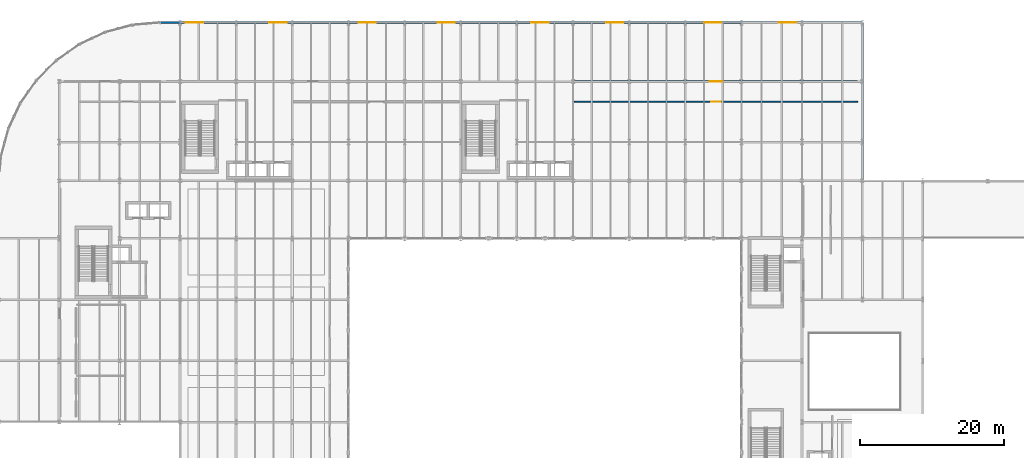
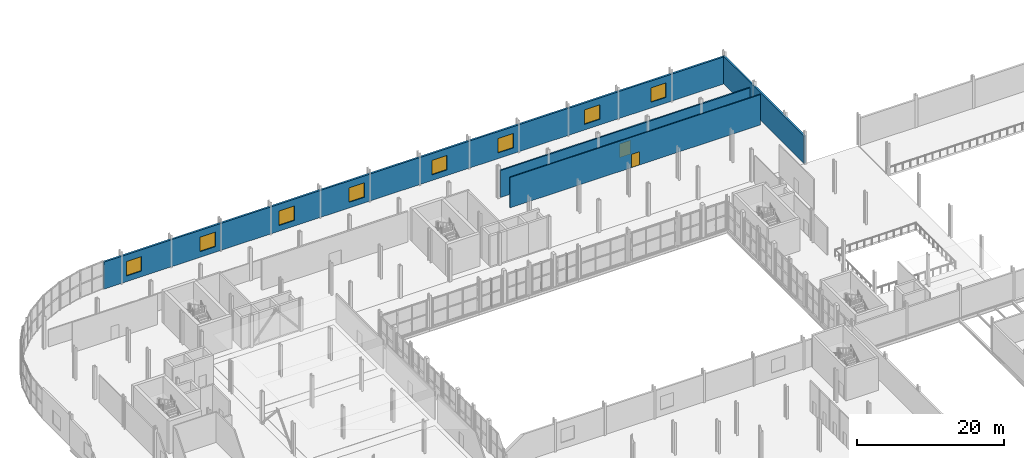
# One storey, part 57 of 78: 8 windows, 4 walls, 2 doors, 10 openings.
"""IFC4 building model written with IfcOpenShell, lengths in metres."""

from ifc_helpers import new_model, si_unit, direction, frame, frame_2d, origin, place, context, subcontext, project, spatial, rectangle, extrude, material, layer, layer_set, type_object, element, fill, save


model = new_model("IFC4")

# Units and contexts
model_context = context("Model", 3, precision=1e-05, world=origin(), true_north=direction((0.0, 1.0)))
body_context = subcontext(model_context, "Body", "Model", "MODEL_VIEW")
ifc_project = project(units=[si_unit("LENGTHUNIT", "METRE"), si_unit("AREAUNIT", "SQUARE_METRE"), si_unit("VOLUMEUNIT", "CUBIC_METRE"), si_unit("PLANEANGLEUNIT", "RADIAN"), si_unit("MASSUNIT", "GRAM", prefix="KILO")], contexts=[model_context])

# Site, building, storey
site_placement = place(None, origin())
site = spatial("IfcSite", under=ifc_project, at=site_placement, CompositionType="ELEMENT")
building_placement = place(site_placement, origin())
building = spatial("IfcBuilding", under=site, at=building_placement, Name="Sefraquen Railside Congress Hotel", CompositionType="ELEMENT")
storey_placement = place(building_placement, frame((0.0, 0.0, 6.0)))
storey = spatial("IfcBuildingStorey", under=building, at=storey_placement, Name="L01", CompositionType="ELEMENT", Elevation=6.0)

# Wall, opening, door
ifc_material_1 = material(Name="Acoustic double stud and gypsum board", Category="gypsum")
ifc_layer_1 = layer(ifc_material_1, 0.219970703125)
ifc_layer_set_1 = layer_set([ifc_layer_1], Name="Acoustic double stud and gypsum board")
wall_type_1 = type_object("IfcWallType", Name="TW-AW-220", PredefinedType="PARTITIONING", material=ifc_layer_set_1)
wall_1_placement = place(storey_placement, frame((80.050048828125, 109.800048828125, 0.0), z_axis=(0.0, 0.0, 1.0), x_axis=(1.0, 0.0, 0.0)))
wall_1 = element("IfcWall", 1, at=wall_1_placement, inside=storey, type_object=wall_type_1, Name="Moroccan Gastronomic Specialty Restaurant enclosure wall", PredefinedType="PARTITIONING", context=body_context, shape_type="SweptSolid", body=[
    extrude(rectangle(XDim=39.25, YDim=0.219970703125, at=frame_2d((19.625, 0.0))), origin(), (0.0, 0.0, 1.0), 4.489990234375),
])
opening_1_placement = place(wall_1_placement, frame((18.77490234375, 0.0, 0.0)))
opening_1 = element("IfcOpeningElement", 2, at=opening_1_placement, cuts=wall_1, Name="Opening AD-03", PredefinedType="OPENING", context=body_context, shape_type="SweptSolid", body=[
    extrude(rectangle(XDim=1.699951171875, YDim=2.300048828125, at=frame_2d((0.85009765625, 1.14990234375))), frame((0.0, 0.119873046875, 0.0), z_axis=(0.0, -1.0, 0.0), x_axis=(1.0, 0.0, 0.0)), (0.0, 0.0, 1.0), 0.239990234375),
])
ifc_material_2 = material(Name="Acoustic timber and etched glass", Category="wood")
door_type_1 = type_object("IfcDoorType", Name="TD-AD-03", OperationType="NOTDEFINED", PredefinedType="DOOR", material=ifc_material_2)
door_1_placement = place(opening_1_placement, origin())
door_1 = element("IfcDoor", 3, at=door_1_placement, inside=storey, type_object=door_type_1, Name="Moroccan Gastronomic Specialty Restaurant entrance door", OperationType="DOUBLE_SWING_LEFT", OverallHeight=2.300048828125, OverallWidth=1.699951171875, PredefinedType="DOOR", context=body_context, shape_type="SweptSolid", body=[
    extrude(rectangle(XDim=1.699951171875, YDim=2.300048828125, at=frame_2d((0.85009765625, 1.14990234375))), frame((0.0, 0.02490234375, 0.0), z_axis=(0.0, -1.0, 0.0), x_axis=(1.0, 0.0, 0.0)), (0.0, 0.0, 1.0), 0.050048828125),
])
fill(opening_1, door_1)

# Wall
ifc_material_3 = material(Name="Ochre Rabat calcarenite limestone and Concrete C40/50 backing", Category="masonry")
ifc_layer_2 = layer(ifc_material_3, 0.280029296875)
ifc_layer_set_2 = layer_set([ifc_layer_2], Name="Ochre Rabat calcarenite limestone and Concrete C40/50 backing")
wall_type_2 = type_object("IfcWallType", Name="TW-EW-280", PredefinedType="STANDARD", material=ifc_layer_set_2)
wall_2_placement = place(storey_placement, frame((120.0, 96.0, 0.0), z_axis=(0.0, 0.0, 1.0), x_axis=(0.0, 1.0, 0.0)))
element("IfcWall", 4, at=wall_2_placement, inside=storey, type_object=wall_type_2, Name="Hotel L01 east gable facade wall", PredefinedType="STANDARD", context=body_context, shape_type="SweptSolid", body=[
    extrude(rectangle(XDim=22.0, YDim=0.280029296875, at=frame_2d((11.0, 0.0))), origin(), (0.0, 0.0, 1.0), 4.590087890625),
])

# Wall, openings, windows
ifc_layer_3 = layer(ifc_material_3, 0.300048828125)
ifc_layer_set_3 = layer_set([ifc_layer_3], Name="Ochre Rabat calcarenite limestone and Concrete C40/50 backing")
wall_type_3 = type_object("IfcWallType", Name="TW-EW-300", PredefinedType="STANDARD", material=ifc_layer_set_3)
wall_3_placement = place(storey_placement, frame((22.5, 118.0, 0.0), z_axis=(0.0, 0.0, 1.0), x_axis=(1.0, 0.0, 0.0)))
wall_3 = element("IfcWall", 5, at=wall_3_placement, inside=storey, type_object=wall_type_3, Name="Hotel L01 North Boulevard limestone facade wall", PredefinedType="STANDARD", context=body_context, shape_type="SweptSolid", body=[
    extrude(rectangle(XDim=97.5, YDim=0.300048828125, at=frame_2d((48.75, 0.0))), origin(), (0.0, 0.0, 1.0), 4.489990234375),
])
opening_2_placement = place(wall_3_placement, frame((3.5, 0.0, 0.949951171875)))
opening_2 = element("IfcOpeningElement", 6, at=opening_2_placement, cuts=wall_3, Name="Opening WN-09", PredefinedType="OPENING", context=body_context, shape_type="SweptSolid", body=[
    extrude(rectangle(XDim=2.39990234375, YDim=2.39990234375, at=frame_2d((1.199951171875, 1.199951171875))), frame((0.0, 0.159912109375, 0.0), z_axis=(0.0, -1.0, 0.0), x_axis=(1.0, 0.0, 0.0)), (0.0, 0.0, 1.0), 0.320068359375),
])
opening_3_placement = place(wall_3_placement, frame((15.10009765625, 0.0, 0.949951171875)))
opening_3 = element("IfcOpeningElement", 7, at=opening_3_placement, cuts=wall_3, Name="Opening WN-09", PredefinedType="OPENING", context=body_context, shape_type="SweptSolid", body=[
    extrude(rectangle(XDim=2.39990234375, YDim=2.39990234375, at=frame_2d((1.199951171875, 1.199951171875))), frame((0.0, 0.159912109375, 0.0), z_axis=(0.0, -1.0, 0.0), x_axis=(1.0, 0.0, 0.0)), (0.0, 0.0, 1.0), 0.320068359375),
])
opening_4_placement = place(wall_3_placement, frame((27.5, 0.0, 0.949951171875)))
opening_4 = element("IfcOpeningElement", 8, at=opening_4_placement, cuts=wall_3, Name="Opening WN-09", PredefinedType="OPENING", context=body_context, shape_type="SweptSolid", body=[
    extrude(rectangle(XDim=2.39990234375, YDim=2.39990234375, at=frame_2d((1.199951171875, 1.199951171875))), frame((0.0, 0.159912109375, 0.0), z_axis=(0.0, -1.0, 0.0), x_axis=(1.0, 0.0, 0.0)), (0.0, 0.0, 1.0), 0.320068359375),
])
opening_5_placement = place(wall_3_placement, frame((38.5, 0.0, 0.949951171875)))
opening_5 = element("IfcOpeningElement", 9, at=opening_5_placement, cuts=wall_3, Name="Opening WN-09", PredefinedType="OPENING", context=body_context, shape_type="SweptSolid", body=[
    extrude(rectangle(XDim=2.39990234375, YDim=2.39990234375, at=frame_2d((1.199951171875, 1.199951171875))), frame((0.0, 0.159912109375, 0.0), z_axis=(0.0, -1.0, 0.0), x_axis=(1.0, 0.0, 0.0)), (0.0, 0.0, 1.0), 0.320068359375),
])
opening_6_placement = place(wall_3_placement, frame((51.5, 0.0, 0.949951171875)))
opening_6 = element("IfcOpeningElement", 10, at=opening_6_placement, cuts=wall_3, Name="Opening WN-09", PredefinedType="OPENING", context=body_context, shape_type="SweptSolid", body=[
    extrude(rectangle(XDim=2.39990234375, YDim=2.39990234375, at=frame_2d((1.199951171875, 1.199951171875))), frame((0.0, 0.159912109375, 0.0), z_axis=(0.0, -1.0, 0.0), x_axis=(1.0, 0.0, 0.0)), (0.0, 0.0, 1.0), 0.320068359375),
])
opening_7_placement = place(wall_3_placement, frame((61.89990234375, 0.0, 0.949951171875)))
opening_7 = element("IfcOpeningElement", 11, at=opening_7_placement, cuts=wall_3, Name="Opening WN-09", PredefinedType="OPENING", context=body_context, shape_type="SweptSolid", body=[
    extrude(rectangle(XDim=2.39990234375, YDim=2.39990234375, at=frame_2d((1.199951171875, 1.199951171875))), frame((0.0, 0.159912109375, 0.0), z_axis=(0.0, -1.0, 0.0), x_axis=(1.0, 0.0, 0.0)), (0.0, 0.0, 1.0), 0.320068359375),
])
opening_8_placement = place(wall_3_placement, frame((75.5, 0.0, 0.949951171875)))
opening_8 = element("IfcOpeningElement", 12, at=opening_8_placement, cuts=wall_3, Name="Opening WN-09", PredefinedType="OPENING", context=body_context, shape_type="SweptSolid", body=[
    extrude(rectangle(XDim=2.39990234375, YDim=2.39990234375, at=frame_2d((1.199951171875, 1.199951171875))), frame((0.0, 0.159912109375, 0.0), z_axis=(0.0, -1.0, 0.0), x_axis=(1.0, 0.0, 0.0)), (0.0, 0.0, 1.0), 0.320068359375),
])
opening_9_placement = place(wall_3_placement, frame((85.89990234375, 0.0, 0.949951171875)))
opening_9 = element("IfcOpeningElement", 13, at=opening_9_placement, cuts=wall_3, Name="Opening WN-09", PredefinedType="OPENING", context=body_context, shape_type="SweptSolid", body=[
    extrude(rectangle(XDim=2.39990234375, YDim=2.39990234375, at=frame_2d((1.199951171875, 1.199951171875))), frame((0.0, 0.159912109375, 0.0), z_axis=(0.0, -1.0, 0.0), x_axis=(1.0, 0.0, 0.0)), (0.0, 0.0, 1.0), 0.320068359375),
])
ifc_material_4 = material(Name="Solar-control low-E double glazing in bronze-anodised frame", Category="glass")
window_type = type_object("IfcWindowType", Name="TWN-W-09", PartitioningType="DOUBLE_PANEL_VERTICAL", PredefinedType="WINDOW", material=ifc_material_4)
window_1_placement = place(opening_2_placement, origin())
window_1 = element("IfcWindow", 14, at=window_1_placement, inside=storey, type_object=window_type, Name="Hotel L01 North arched window 1", OverallHeight=2.39990234375, OverallWidth=2.39990234375, PartitioningType="DOUBLE_PANEL_VERTICAL", PredefinedType="WINDOW", context=body_context, shape_type="SweptSolid", body=[
    extrude(rectangle(XDim=2.39990234375, YDim=2.39990234375, at=frame_2d((1.199951171875, 1.199951171875))), frame((0.0, 0.030029296875, 0.0), z_axis=(0.0, -1.0, 0.0), x_axis=(1.0, 0.0, 0.0)), (0.0, 0.0, 1.0), 0.06005859375),
])
fill(opening_2, window_1)
window_2_placement = place(opening_3_placement, origin())
window_2 = element("IfcWindow", 15, at=window_2_placement, inside=storey, type_object=window_type, Name="Hotel L01 North arched window 2", OverallHeight=2.39990234375, OverallWidth=2.39990234375, PartitioningType="DOUBLE_PANEL_VERTICAL", PredefinedType="WINDOW", context=body_context, shape_type="SweptSolid", body=[
    extrude(rectangle(XDim=2.39990234375, YDim=2.39990234375, at=frame_2d((1.199951171875, 1.199951171875))), frame((0.0, 0.030029296875, 0.0), z_axis=(0.0, -1.0, 0.0), x_axis=(1.0, 0.0, 0.0)), (0.0, 0.0, 1.0), 0.06005859375),
])
fill(opening_3, window_2)
window_3_placement = place(opening_4_placement, origin())
window_3 = element("IfcWindow", 16, at=window_3_placement, inside=storey, type_object=window_type, Name="Hotel L01 North arched window 3", OverallHeight=2.39990234375, OverallWidth=2.39990234375, PartitioningType="DOUBLE_PANEL_VERTICAL", PredefinedType="WINDOW", context=body_context, shape_type="SweptSolid", body=[
    extrude(rectangle(XDim=2.39990234375, YDim=2.39990234375, at=frame_2d((1.199951171875, 1.199951171875))), frame((0.0, 0.030029296875, 0.0), z_axis=(0.0, -1.0, 0.0), x_axis=(1.0, 0.0, 0.0)), (0.0, 0.0, 1.0), 0.06005859375),
])
fill(opening_4, window_3)
window_4_placement = place(opening_5_placement, origin())
window_4 = element("IfcWindow", 17, at=window_4_placement, inside=storey, type_object=window_type, Name="Hotel L01 North arched window 4", OverallHeight=2.39990234375, OverallWidth=2.39990234375, PartitioningType="DOUBLE_PANEL_VERTICAL", PredefinedType="WINDOW", context=body_context, shape_type="SweptSolid", body=[
    extrude(rectangle(XDim=2.39990234375, YDim=2.39990234375, at=frame_2d((1.199951171875, 1.199951171875))), frame((0.0, 0.030029296875, 0.0), z_axis=(0.0, -1.0, 0.0), x_axis=(1.0, 0.0, 0.0)), (0.0, 0.0, 1.0), 0.06005859375),
])
fill(opening_5, window_4)
window_5_placement = place(opening_6_placement, origin())
window_5 = element("IfcWindow", 18, at=window_5_placement, inside=storey, type_object=window_type, Name="Hotel L01 North arched window 5", OverallHeight=2.39990234375, OverallWidth=2.39990234375, PartitioningType="DOUBLE_PANEL_VERTICAL", PredefinedType="WINDOW", context=body_context, shape_type="SweptSolid", body=[
    extrude(rectangle(XDim=2.39990234375, YDim=2.39990234375, at=frame_2d((1.199951171875, 1.199951171875))), frame((0.0, 0.030029296875, 0.0), z_axis=(0.0, -1.0, 0.0), x_axis=(1.0, 0.0, 0.0)), (0.0, 0.0, 1.0), 0.06005859375),
])
fill(opening_6, window_5)
window_6_placement = place(opening_7_placement, origin())
window_6 = element("IfcWindow", 19, at=window_6_placement, inside=storey, type_object=window_type, Name="Hotel L01 North arched window 6", OverallHeight=2.39990234375, OverallWidth=2.39990234375, PartitioningType="DOUBLE_PANEL_VERTICAL", PredefinedType="WINDOW", context=body_context, shape_type="SweptSolid", body=[
    extrude(rectangle(XDim=2.39990234375, YDim=2.39990234375, at=frame_2d((1.199951171875, 1.199951171875))), frame((0.0, 0.030029296875, 0.0), z_axis=(0.0, -1.0, 0.0), x_axis=(1.0, 0.0, 0.0)), (0.0, 0.0, 1.0), 0.06005859375),
])
fill(opening_7, window_6)
window_7_placement = place(opening_8_placement, origin())
window_7 = element("IfcWindow", 20, at=window_7_placement, inside=storey, type_object=window_type, Name="Hotel L01 North arched window 7", OverallHeight=2.39990234375, OverallWidth=2.39990234375, PartitioningType="DOUBLE_PANEL_VERTICAL", PredefinedType="WINDOW", context=body_context, shape_type="SweptSolid", body=[
    extrude(rectangle(XDim=2.39990234375, YDim=2.39990234375, at=frame_2d((1.199951171875, 1.199951171875))), frame((0.0, 0.030029296875, 0.0), z_axis=(0.0, -1.0, 0.0), x_axis=(1.0, 0.0, 0.0)), (0.0, 0.0, 1.0), 0.06005859375),
])
fill(opening_8, window_7)
window_8_placement = place(opening_9_placement, origin())
window_8 = element("IfcWindow", 21, at=window_8_placement, inside=storey, type_object=window_type, Name="Hotel L01 North arched window 8", OverallHeight=2.39990234375, OverallWidth=2.39990234375, PartitioningType="DOUBLE_PANEL_VERTICAL", PredefinedType="WINDOW", context=body_context, shape_type="SweptSolid", body=[
    extrude(rectangle(XDim=2.39990234375, YDim=2.39990234375, at=frame_2d((1.199951171875, 1.199951171875))), frame((0.0, 0.030029296875, 0.0), z_axis=(0.0, -1.0, 0.0), x_axis=(1.0, 0.0, 0.0)), (0.0, 0.0, 1.0), 0.06005859375),
])
fill(opening_9, window_8)

# Wall, opening, door
ifc_material_5 = material(Name="Moisture-resistant gypsum board", Category="gypsum")
ifc_layer_4 = layer(ifc_material_5, 0.159912109375)
ifc_layer_set_4 = layer_set([ifc_layer_4], Name="Moisture-resistant gypsum board")
wall_type_4 = type_object("IfcWallType", Name="TW-PW-160", PredefinedType="PARTITIONING", material=ifc_layer_set_4)
wall_4_placement = place(storey_placement, frame((80.0, 107.0, 0.0), z_axis=(0.0, 0.0, 1.0), x_axis=(1.0, 0.0, 0.0)))
wall_4 = element("IfcWall", 22, at=wall_4_placement, inside=storey, type_object=wall_type_4, Name="Gastronomic Courtyard Salon enclosure wall", PredefinedType="PARTITIONING", context=body_context, shape_type="SweptSolid", body=[
    extrude(rectangle(XDim=39.35009765625, YDim=0.159912109375, at=frame_2d((19.675048828125, 0.0))), origin(), (0.0, 0.0, 1.0), 5.050048828125),
])
opening_10_placement = place(wall_4_placement, frame((19.02490234375, 0.0, 0.0)))
opening_10 = element("IfcOpeningElement", 23, at=opening_10_placement, cuts=wall_4, Name="Opening MD-02", PredefinedType="OPENING", context=body_context, shape_type="SweptSolid", body=[
    extrude(rectangle(XDim=1.300048828125, YDim=2.199951171875, at=frame_2d((0.64990234375, 1.10009765625))), frame((0.0, 0.08984375, 0.0), z_axis=(0.0, -1.0, 0.0), x_axis=(1.0, 0.0, 0.0)), (0.0, 0.0, 1.0), 0.179931640625),
])
ifc_material_6 = material(Name="Acoustic cedar veneer", Category="wood")
door_type_2 = type_object("IfcDoorType", Name="TD-MD-02", OperationType="NOTDEFINED", PredefinedType="DOOR", material=ifc_material_6)
door_2_placement = place(opening_10_placement, origin())
door_2 = element("IfcDoor", 24, at=door_2_placement, inside=storey, type_object=door_type_2, Name="Gastronomic Courtyard Salon entrance door", OperationType="SINGLE_SWING_LEFT", OverallHeight=2.199951171875, OverallWidth=1.300048828125, PredefinedType="DOOR", context=body_context, shape_type="SweptSolid", body=[
    extrude(rectangle(XDim=1.300048828125, YDim=2.199951171875, at=frame_2d((0.64990234375, 1.10009765625))), frame((0.0, 0.02490234375, 0.0), z_axis=(0.0, -1.0, 0.0), x_axis=(1.0, 0.0, 0.0)), (0.0, 0.0, 1.0), 0.050048828125),
])
fill(opening_10, door_2)

save(model, "model.ifc")
